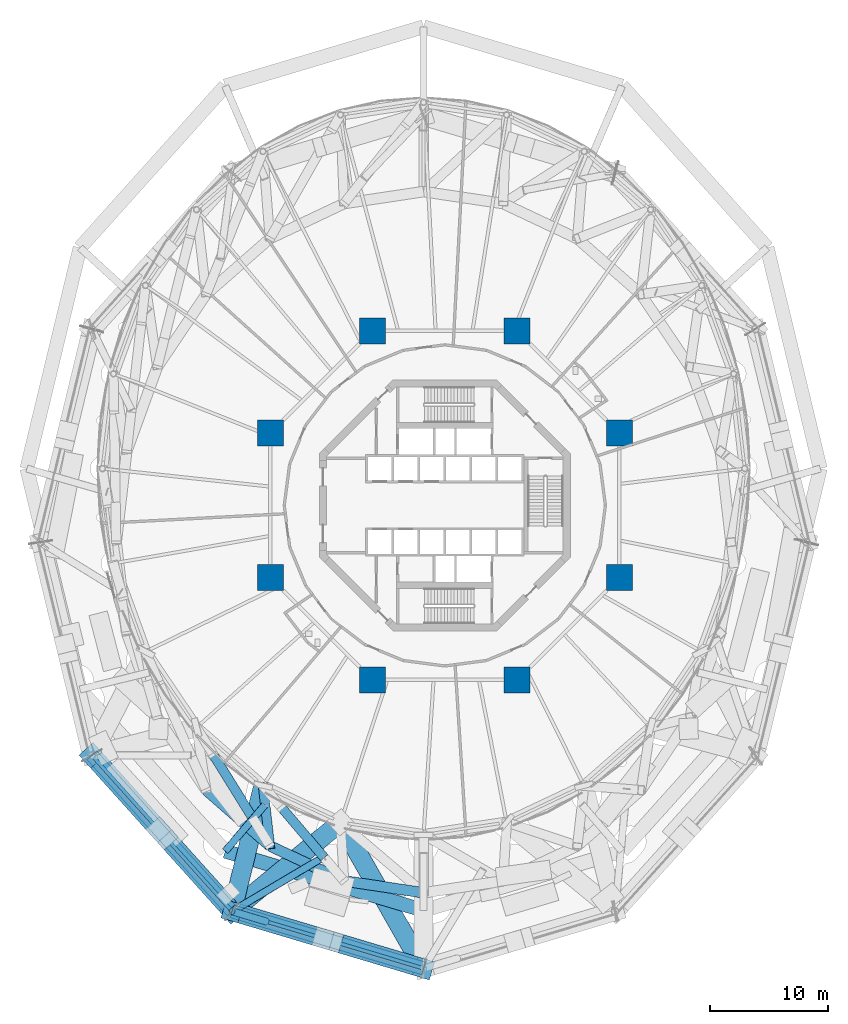
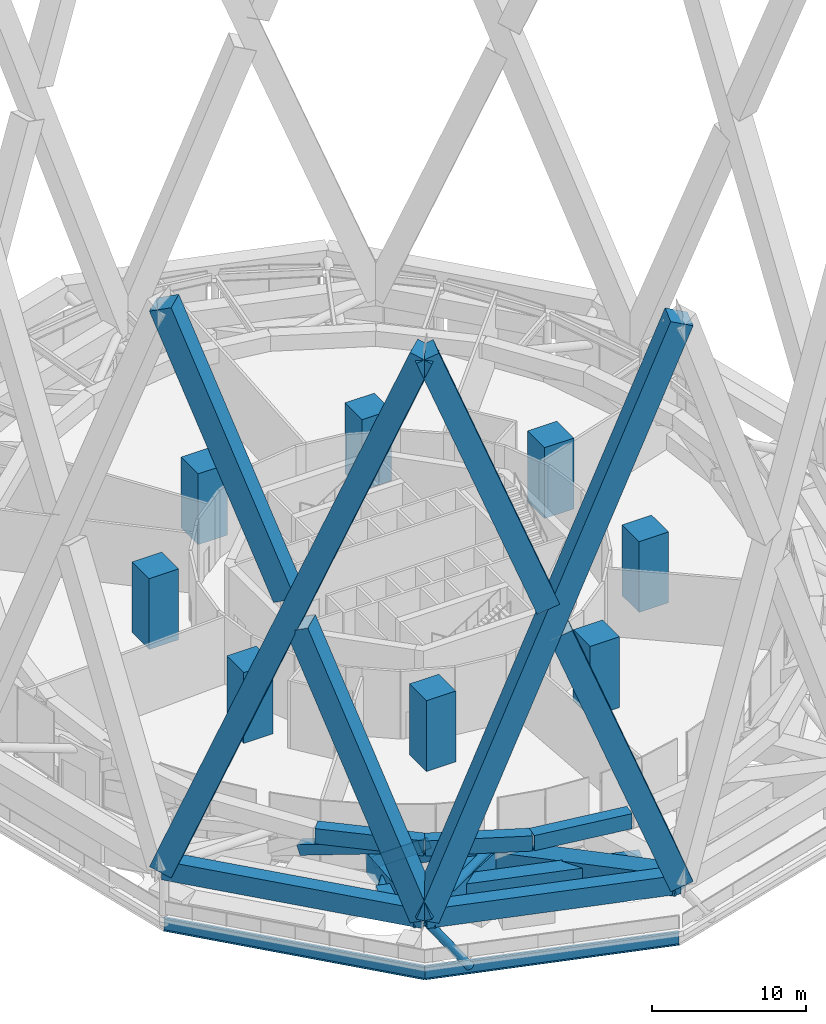
# One storey, part 1 of 65: 15 members, 8 beams, 8 columns.
"""IFC4 building model written with IfcOpenShell, lengths in metres."""

from ifc_helpers import new_model, si_unit, direction, frame, origin, origin_2d, place, context, subcontext, project, spatial, rectangle, hollow_rectangle, hollow_circle, i_section, extrude, material, material_profile, profile_set, type_object, element, save


model = new_model("IFC4")

# Units and contexts
model_context = context("Model", 3, precision=1e-05, world=origin(), true_north=direction((0.0, 1.0)))
body_context = subcontext(model_context, "Body", "Model", "MODEL_VIEW")
ifc_project = project(units=[si_unit("LENGTHUNIT", "METRE"), si_unit("AREAUNIT", "SQUARE_METRE"), si_unit("VOLUMEUNIT", "CUBIC_METRE"), si_unit("PLANEANGLEUNIT", "RADIAN"), si_unit("MASSUNIT", "GRAM", prefix="KILO")], contexts=[model_context])

# Site, building, storey
site_placement = place(None, origin())
site = spatial("IfcSite", under=ifc_project, at=site_placement, CompositionType="ELEMENT")
building_placement = place(site_placement, origin())
building = spatial("IfcBuilding", under=site, at=building_placement, Name="Nagisa Residences", CompositionType="ELEMENT")
storey_placement = place(building_placement, frame((0.0, 0.0, 114.0)))
storey = spatial("IfcBuildingStorey", under=building, at=storey_placement, Name="L28", CompositionType="ELEMENT", Elevation=114.0)

# Columns
ifc_material_1 = material(Name="Concrete C80", Category="concrete")
ifc_material_profile_1 = material_profile(ifc_material_1, rectangle(XDim=2.199951171875, YDim=2.199951171875, at=origin_2d()), Name="C80 2200x2200")
ifc_profile_set_1 = profile_set([ifc_material_profile_1], Name="Concrete C80")
column_type = type_object("IfcColumnType", Name="Inner megacolumn C80 2200x2200", PredefinedType="COLUMN", material=ifc_profile_set_1)
for number, where, z_axis, x_axis, name in (
    (1, (14.781982421875, 6.123046875, 0.0), (0.0, 0.0, 1.0), (1.0, 0.0, 0.0), "col:L28:i1"),
    (2, (6.123046875, 14.781982421875, 0.0), (0.0, 0.0, 1.0), (1.0, 0.0, 0.0), "col:L28:i2"),
    (3, (-6.123046875, 14.781982421875, 0.0), (0.0, 0.0, 1.0), (1.0, 0.0, 0.0), "col:L28:i3"),
    (4, (-14.781982421875, 6.123046875, 0.0), (0.0, 0.0, 1.0), (1.0, 0.0, 0.0), "col:L28:i4"),
    (5, (-14.781982421875, -6.123046875, 0.0), (0.0, 0.0, 1.0), (1.0, 0.0, 0.0), "col:L28:i5"),
    (6, (-6.123046875, -14.781982421875, 0.0), (0.0, 0.0, 1.0), (1.0, 0.0, 0.0), "col:L28:i6"),
    (7, (6.123046875, -14.781982421875, 0.0), (0.0, 0.0, 1.0), (1.0, 0.0, 0.0), "col:L28:i7"),
    (8, (14.781982421875, -6.123046875, 0.0), (0.0, 0.0, 1.0), (1.0, 0.0, 0.0), "col:L28:i8"),
):
    element("IfcColumn", number, at=place(storey_placement, frame(where, z_axis=z_axis, x_axis=x_axis)), inside=storey, type_object=column_type, Name=name, PredefinedType="COLUMN", context=body_context, shape_type="SweptSolid", body=[
        extrude(rectangle(XDim=2.199951171875, YDim=2.199951171875, at=origin_2d()), origin(), (0.0, 0.0, 1.0), 5.60009765625),
    ])

# Beams
ifc_material_2 = material(Name="Steel ASTM A572 Gr 50", Category="steel")
ifc_material_profile_2 = material_profile(ifc_material_2, hollow_rectangle(XDim=0.89990234375, YDim=1.199951171875, WallThickness=0.050048828125, at=origin_2d()), Name="BX 900x1200x50")
ifc_profile_set_2 = profile_set([ifc_material_profile_2], Name="Steel ASTM A572 Gr 50")
beam_type_1 = type_object("IfcBeamType", Name="Belt chord 2 BX 900x1200x50", PredefinedType="BEAM", material=ifc_profile_set_2)
beam_1_placement = place(storey_placement, frame((-20.20947265625, -24.115234375, 4.739990234375), z_axis=(0.752513371651, -0.658576970055, 0.0), x_axis=(0.658576970055, 0.752513371651, 0.0)))
element("IfcBeam", 9, at=beam_1_placement, inside=storey, type_object=beam_type_1, Name="beam:L28:bt2t16", PredefinedType="BEAM", context=body_context, shape_type="SweptSolid", body=[
    extrude(hollow_rectangle(XDim=0.89990234375, YDim=1.199951171875, WallThickness=0.050048828125, at=origin_2d()), origin(), (0.0, 0.0, 1.0), 7.16552734375),
])
beam_2_placement = place(storey_placement, frame((-14.8173828125, -28.834228515625, 4.739990234375), z_axis=(0.904168316158, -0.427176375817, 0.0), x_axis=(0.427176375817, 0.904168316158, 0.0)))
element("IfcBeam", 10, at=beam_2_placement, inside=storey, type_object=beam_type_1, Name="beam:L28:bt2t17", PredefinedType="BEAM", context=body_context, shape_type="SweptSolid", body=[
    extrude(hollow_rectangle(XDim=0.89990234375, YDim=1.199951171875, WallThickness=0.050048828125, at=origin_2d()), origin(), (0.0, 0.0, 1.0), 6.944580078125),
])
beam_3_placement = place(storey_placement, frame((-8.538330078125, -31.80078125, 4.739990234375), z_axis=(0.988910056119, -0.14851565879, 0.0), x_axis=(0.14851565879, 0.988910056119, 0.0)))
element("IfcBeam", 11, at=beam_3_placement, inside=storey, type_object=beam_type_1, Name="beam:L28:bt2t18", PredefinedType="BEAM", context=body_context, shape_type="SweptSolid", body=[
    extrude(hollow_rectangle(XDim=0.89990234375, YDim=1.199951171875, WallThickness=0.050048828125, at=origin_2d()), origin(), (0.0, 0.0, 1.0), 6.81396484375),
])
ifc_material_3 = material(Name="Steel ASTM A572 Gr 50", Category="steel")
ifc_material_profile_3 = material_profile(ifc_material_3, hollow_rectangle(XDim=0.800048828125, YDim=0.800048828125, WallThickness=0.044921875, at=origin_2d()), Name="BX 800x800x45")
ifc_profile_set_3 = profile_set([ifc_material_profile_3], Name="Steel ASTM A572 Gr 50")
beam_type_2 = type_object("IfcBeamType", Name="Belt diagonal 2 BX 800x800x45", PredefinedType="BEAM", material=ifc_profile_set_3)
beam_4_placement = place(storey_placement, frame((-19.604248046875, -21.11279296875, 1.550048828125), z_axis=(0.497140754503, -0.801931944854, 0.331294772121), x_axis=(0.849929770126, 0.526895991494, 0.0)))
element("IfcBeam", 12, at=beam_4_placement, inside=storey, type_object=beam_type_2, Name="beam:L28:bt2db16", PredefinedType="BEAM", context=body_context, shape_type="SweptSolid", body=[
    extrude(hollow_rectangle(XDim=0.800048828125, YDim=0.800048828125, WallThickness=0.044921875, at=origin_2d()), origin(), (0.0, 0.0, 1.0), 6.76123046875),
])
beam_5_placement = place(storey_placement, frame((-15.3974609375, -23.7421875, 0.60009765625), z_axis=(0.088048344808, -0.772905861814, 0.628382063517), x_axis=(0.993573757548, 0.113186520014, 0.0)))
element("IfcBeam", 13, at=beam_5_placement, inside=storey, type_object=beam_type_2, Name="beam:L28:bt2da17", PredefinedType="BEAM", context=body_context, shape_type="SweptSolid", body=[
    extrude(hollow_rectangle(XDim=0.800048828125, YDim=0.800048828125, WallThickness=0.044921875, at=origin_2d()), origin(), (0.0, 0.0, 1.0), 6.588134765625),
])
beam_6_placement = place(storey_placement, frame((-13.823486328125, -25.59130859375, 1.550048828125), z_axis=(0.60359905923, -0.70918223787, 0.364319542691), x_axis=(0.761518344446, 0.648143356883, 0.0)))
element("IfcBeam", 14, at=beam_6_placement, inside=storey, type_object=beam_type_2, Name="beam:L28:bt2db17", PredefinedType="BEAM", context=body_context, shape_type="SweptSolid", body=[
    extrude(hollow_rectangle(XDim=0.800048828125, YDim=0.800048828125, WallThickness=0.044921875, at=origin_2d()), origin(), (0.0, 0.0, 1.0), 6.1484375),
])

# Members
ifc_material_4 = material(Name="Concrete C80", Category="concrete")
ifc_material_profile_4 = material_profile(ifc_material_4, rectangle(XDim=1.60009765625, YDim=1.60009765625, at=origin_2d()), Name="C80 1600x1600")
ifc_profile_set_4 = profile_set([ifc_material_profile_4], Name="Concrete C80")
member_type_1 = type_object("IfcMemberType", Name="Cage bracket 3 C80 1600x1600", PredefinedType="BRACE", material=ifc_profile_set_4)
member_1_placement = place(storey_placement, frame((-18.017578125, -34.376953125, 3.699951171875), z_axis=(0.23017839388, 0.934268620705, -0.272323431522), x_axis=(-0.970965512161, 0.23921951048, 0.0)))
element("IfcMember", 15, at=member_1_placement, inside=storey, type_object=member_type_1, Name="mem:L28:cg2ob03", PredefinedType="BRACE", context=body_context, shape_type="SweptSolid", body=[
    extrude(rectangle(XDim=1.60009765625, YDim=1.60009765625, at=origin_2d()), origin(), (0.0, 0.0, 1.0), 11.383056640625),
])
member_2_placement = place(storey_placement, frame((-18.017578125, -34.376953125, 3.699951171875), z_axis=(0.747816928871, 0.613994754297, -0.252547584804), x_axis=(-0.634564495178, 0.772869912378, 0.0)))
element("IfcMember", 16, at=member_2_placement, inside=storey, type_object=member_type_1, Name="mem:L28:cg2ob04", PredefinedType="BRACE", context=body_context, shape_type="SweptSolid", body=[
    extrude(rectangle(XDim=1.60009765625, YDim=1.60009765625, at=origin_2d()), origin(), (0.0, 0.0, 1.0), 12.2744140625),
])
member_3_placement = place(storey_placement, frame((-1.800048828125, -39.212646484375, 3.699951171875), z_axis=(-0.483162061781, 0.849279245328, -0.212789063421), x_axis=(-0.869185185276, -0.494486717411, 0.0)))
element("IfcMember", 17, at=member_3_placement, inside=storey, type_object=member_type_1, Name="mem:L28:cg2ob06", PredefinedType="BRACE", context=body_context, shape_type="SweptSolid", body=[
    extrude(rectangle(XDim=1.60009765625, YDim=1.60009765625, at=origin_2d()), origin(), (0.0, 0.0, 1.0), 14.567626953125),
])
ifc_material_5 = material(Name="Concrete C80", Category="concrete")
ifc_material_profile_5 = material_profile(ifc_material_5, rectangle(XDim=1.60009765625, YDim=1.60009765625, at=origin_2d()), Name="C80 1600x1600")
ifc_profile_set_5 = profile_set([ifc_material_profile_5], Name="Concrete C80")
member_type_2 = type_object("IfcMemberType", Name="Cage diagonal 3 C80 1600x1600", PredefinedType="BRACE", material=ifc_profile_set_5)
member_4_placement = place(storey_placement, frame((-29.8896484375, -21.165283203125, 3.699951171875), z_axis=(0.247779119326, -0.275737580043, 0.92874877926), x_axis=(0.743809931652, 0.668391192024, 0.0)))
element("IfcMember", 18, at=member_4_placement, inside=storey, type_object=member_type_2, Name="mem:L28:cg3d015", PredefinedType="BRACE", context=body_context, shape_type="SweptSolid", body=[
    extrude(rectangle(XDim=1.60009765625, YDim=1.60009765625, at=origin_2d()), origin(), (0.0, 0.0, 1.0), 47.913818359375),
])
for number, where, z_axis, x_axis, name in (
    (19, (-18.017578125, -34.376953125, 3.699951171875), (-0.247775784917, 0.275736835489, 0.928749889886), (-0.743813506148, -0.668387214175, 0.0), "mem:L28:cg3d016a"),
    (20, (-24.236328125, -27.456298828125, 27.010498046875), (-0.247788291258, 0.275738844755, 0.928745956766), (-0.743799155472, -0.668403183953, 0.0), "mem:L28:cg3d016b"),
):
    element("IfcMember", number, at=place(storey_placement, frame(where, z_axis=z_axis, x_axis=x_axis)), inside=storey, type_object=member_type_2, Name=name, PredefinedType="BRACE", context=body_context, shape_type="SweptSolid", body=[
        extrude(rectangle(XDim=1.60009765625, YDim=1.60009765625, at=origin_2d()), origin(), (0.0, 0.0, 1.0), 22.815185546875),
    ])
member_5_placement = place(storey_placement, frame((-18.017578125, -34.376953125, 3.699951171875), z_axis=(0.340638088742, -0.101570425034, 0.93469200342), x_axis=(0.285744691448, 0.958305781736, 0.0)))
element("IfcMember", 21, at=member_5_placement, inside=storey, type_object=member_type_2, Name="mem:L28:cg3d017", PredefinedType="BRACE", context=body_context, shape_type="SweptSolid", body=[
    extrude(rectangle(XDim=1.60009765625, YDim=1.60009765625, at=origin_2d()), origin(), (0.0, 0.0, 1.0), 47.609375),
])
member_6_placement = place(storey_placement, frame((-1.800048828125, -39.212646484375, 3.699951171875), z_axis=(-0.340629861999, 0.101570534244, 0.934694989656), x_axis=(-0.285751311285, -0.958303807829, 0.0)))
element("IfcMember", 22, at=member_6_placement, inside=storey, type_object=member_type_2, Name="mem:L28:cg3d018a", PredefinedType="BRACE", context=body_context, shape_type="SweptSolid", body=[
    extrude(rectangle(XDim=1.60009765625, YDim=1.60009765625, at=origin_2d()), origin(), (0.0, 0.0, 1.0), 22.620849609375),
])
member_7_placement = place(storey_placement, frame((-10.31201171875, -36.674560546875, 27.056640625), z_axis=(-0.340642838776, 0.101571185467, 0.934690189674), x_axis=(-0.285742996868, -0.958306287019, 0.0)))
element("IfcMember", 23, at=member_7_placement, inside=storey, type_object=member_type_2, Name="mem:L28:cg3d018b", PredefinedType="BRACE", context=body_context, shape_type="SweptSolid", body=[
    extrude(rectangle(XDim=1.60009765625, YDim=1.60009765625, at=origin_2d()), origin(), (0.0, 0.0, 1.0), 22.62060546875),
])
ifc_material_6 = material(Name="Concrete C80", Category="concrete")
ifc_material_profile_6 = material_profile(ifc_material_6, rectangle(XDim=1.199951171875, YDim=1.60009765625, at=origin_2d()), Name="C80 1200x1600")
ifc_profile_set_6 = profile_set([ifc_material_profile_6], Name="Concrete C80")
member_type_3 = type_object("IfcMemberType", Name="Cage ring 2 C80 1200x1600", PredefinedType="CHORD", material=ifc_profile_set_6)
member_8_placement = place(storey_placement, frame((-18.597412109375, -29.28466796875, 1.89990234375), z_axis=(0.958241572498, -0.285959942538, 0.0), x_axis=(0.285959942538, 0.958241572498, 0.0)))
element("IfcMember", 24, at=member_8_placement, inside=storey, type_object=member_type_3, Name="beam:L28:cg2r109", PredefinedType="CHORD", context=body_context, shape_type="SweptSolid", body=[
    extrude(rectangle(XDim=1.199951171875, YDim=1.60009765625, at=origin_2d()), origin(), (0.0, 0.0, 1.0), 17.529296875),
])
ifc_material_7 = material(Name="Concrete C80", Category="concrete")
ifc_material_profile_7 = material_profile(ifc_material_7, rectangle(XDim=1.10009765625, YDim=1.5, at=origin_2d()), Name="C80 1100x1500")
ifc_profile_set_7 = profile_set([ifc_material_profile_7], Name="Concrete C80")
member_type_4 = type_object("IfcMemberType", Name="Cage ring 3 C80 1100x1500", PredefinedType="CHORD", material=ifc_profile_set_7)
member_9_placement = place(storey_placement, frame((-29.8896484375, -21.165283203125, 3.699951171875), z_axis=(0.668391192024, -0.743809931652, 0.0), x_axis=(0.743809931652, 0.668391192024, 0.0)))
element("IfcMember", 25, at=member_9_placement, inside=storey, type_object=member_type_4, Name="beam:L28:cg3r008", PredefinedType="CHORD", context=body_context, shape_type="SweptSolid", body=[
    extrude(rectangle(XDim=1.10009765625, YDim=1.5, at=origin_2d()), origin(), (0.0, 0.0, 1.0), 17.76220703125),
])
member_10_placement = place(storey_placement, frame((-18.017578125, -34.376953125, 3.699951171875), z_axis=(0.958305781736, -0.285744691448, 0.0), x_axis=(0.285744691448, 0.958305781736, 0.0)))
element("IfcMember", 26, at=member_10_placement, inside=storey, type_object=member_type_4, Name="beam:L28:cg3r009", PredefinedType="CHORD", context=body_context, shape_type="SweptSolid", body=[
    extrude(rectangle(XDim=1.10009765625, YDim=1.5, at=origin_2d()), origin(), (0.0, 0.0, 1.0), 16.923095703125),
])
ifc_material_8 = material(Name="Steel ASTM A572 Gr 65", Category="steel")
ifc_material_profile_8 = material_profile(ifc_material_8, hollow_circle(Radius=0.304931640625, WallThickness=0.02490234375, at=origin_2d()), Name="CHS 610x25")
ifc_profile_set_8 = profile_set([ifc_material_profile_8], Name="Steel ASTM A572 Gr 65")
member_type_5 = type_object("IfcMemberType", Name="Cage strut CHS 610x25", PredefinedType="STRUT", material=ifc_profile_set_8)
member_11_placement = place(storey_placement, frame((-18.597412109375, -29.28466796875, 1.89990234375), z_axis=(0.650996461098, 0.759080764897, 0.0), x_axis=(-0.759080764897, 0.650996461098, 0.0)))
element("IfcMember", 27, at=member_11_placement, inside=storey, type_object=member_type_5, Name="mem:L28:bt2st2a09", PredefinedType="STRUT", context=body_context, shape_type="SweptSolid", body=[
    extrude(hollow_circle(Radius=0.304931640625, WallThickness=0.02490234375, at=origin_2d()), origin(), (0.0, 0.0, 1.0), 5.1953125),
])
member_12_placement = place(storey_placement, frame((-18.017578125, -34.376953125, 3.699951171875), z_axis=(0.860078613525, 0.510161522027, 0.0), x_axis=(-0.510161522027, 0.860078613525, 0.0)))
element("IfcMember", 28, at=member_12_placement, inside=storey, type_object=member_type_5, Name="mem:L28:bt2st3b09", PredefinedType="STRUT", context=body_context, shape_type="SweptSolid", body=[
    extrude(hollow_circle(Radius=0.304931640625, WallThickness=0.02490234375, at=origin_2d()), origin(), (0.0, 0.0, 1.0), 9.017822265625),
])

# Beams
ifc_material_9 = material(Name="Steel ASTM A572 Gr 50", Category="steel")
ifc_material_profile_9 = material_profile(ifc_material_9, i_section(OverallWidth=0.300048828125, OverallDepth=0.97998046875, WebThickness=0.0166015625, FlangeThickness=0.02587890625, at=origin_2d()), Name="W1000x249")
ifc_profile_set_9 = profile_set([ifc_material_profile_9], Name="Steel ASTM A572 Gr 50")
beam_type_3 = type_object("IfcBeamType", Name="Deck edge beam W1000x249", PredefinedType="BEAM", material=ifc_profile_set_9)
beam_7_placement = place(storey_placement, frame((-29.8896484375, -21.165283203125, -0.889892578125), z_axis=(0.668391192024, -0.743809931652, 0.0), x_axis=(0.743809931652, 0.668391192024, 0.0)))
element("IfcBeam", 29, at=beam_7_placement, inside=storey, type_object=beam_type_3, Name="beam:L28:deckedge06", PredefinedType="BEAM", context=body_context, shape_type="SweptSolid", body=[
    extrude(i_section(OverallWidth=0.300048828125, OverallDepth=0.97998046875, WebThickness=0.0166015625, FlangeThickness=0.02587890625, at=origin_2d()), origin(), (0.0, 0.0, 1.0), 17.76220703125),
])
beam_8_placement = place(storey_placement, frame((-18.017578125, -34.376953125, -0.889892578125), z_axis=(0.958305781736, -0.285744691448, 0.0), x_axis=(0.285744691448, 0.958305781736, 0.0)))
element("IfcBeam", 30, at=beam_8_placement, inside=storey, type_object=beam_type_3, Name="beam:L28:deckedge07", PredefinedType="BEAM", context=body_context, shape_type="SweptSolid", body=[
    extrude(i_section(OverallWidth=0.300048828125, OverallDepth=0.97998046875, WebThickness=0.0166015625, FlangeThickness=0.02587890625, at=origin_2d()), origin(), (0.0, 0.0, 1.0), 16.923095703125),
])

# Member
ifc_material_10 = material(Name="Steel ASTM A572 Gr 65", Category="steel")
ifc_material_profile_10 = material_profile(ifc_material_10, hollow_circle(Radius=0.304931640625, WallThickness=0.02490234375, at=origin_2d()), Name="CHS 610x25")
ifc_profile_set_10 = profile_set([ifc_material_profile_10], Name="Steel ASTM A572 Gr 65")
member_type_6 = type_object("IfcMemberType", Name="Raked deck hanger CHS 610x25", PredefinedType="BRACE", material=ifc_profile_set_10)
member_13_placement = place(storey_placement, frame((-18.017578125, -34.376953125, 3.300048828125), z_axis=(0.557900332154, -0.166337301817, -0.813067722522), x_axis=(0.285719900795, 0.958313173388, 0.0)))
element("IfcMember", 31, at=member_13_placement, inside=storey, type_object=member_type_6, Name="mem:L28:deckhanger06", PredefinedType="BRACE", context=body_context, shape_type="SweptSolid", body=[
    extrude(hollow_circle(Radius=0.304931640625, WallThickness=0.02490234375, at=origin_2d()), origin(), (0.0, 0.0, 1.0), 5.1533203125),
])

save(model, "model.ifc")
